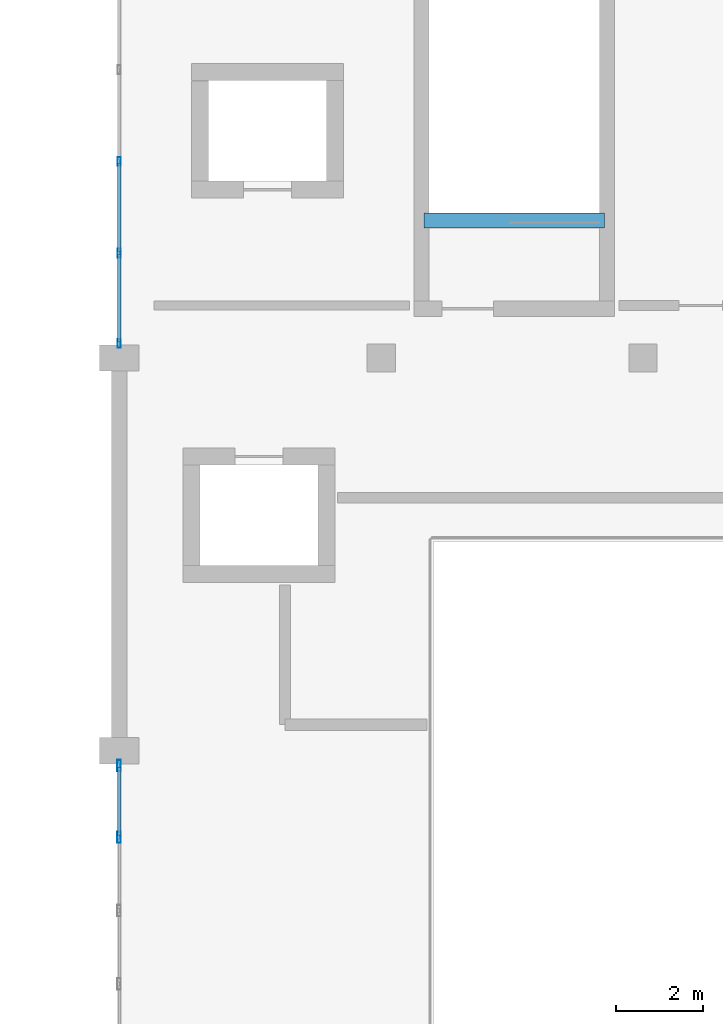
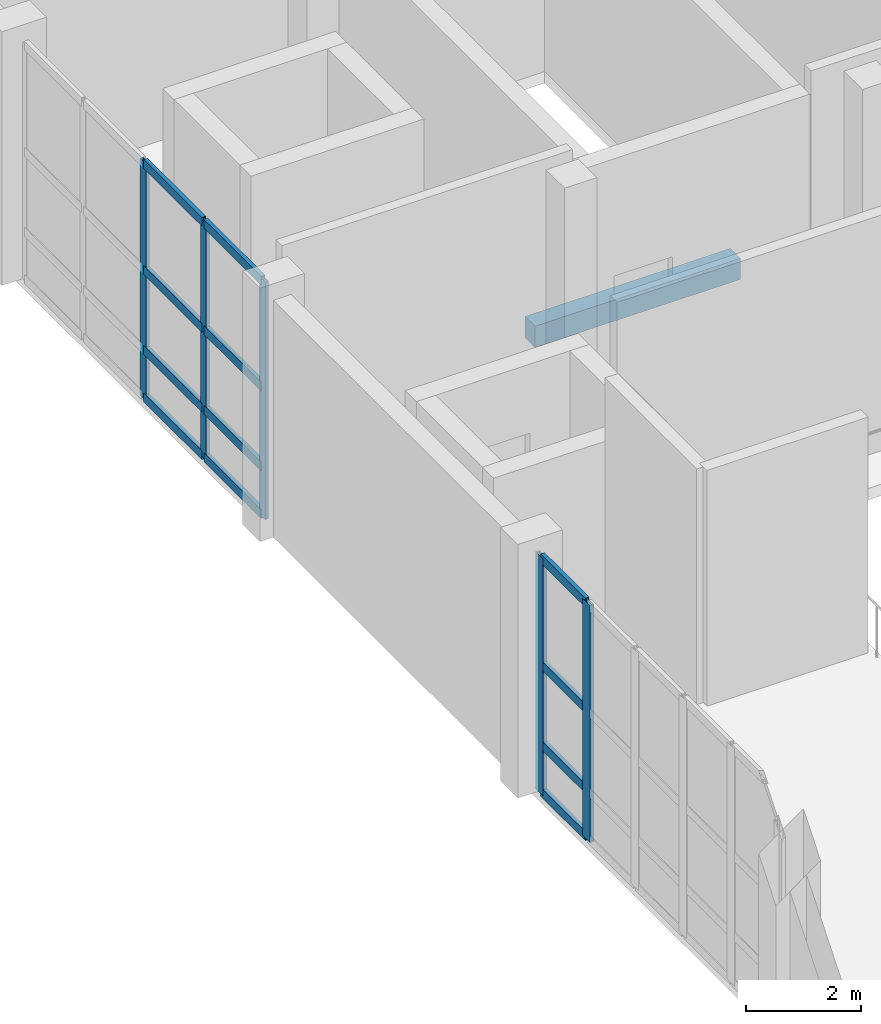
# One storey, part 6 of 41: 17 members, 1 beam, 2 elements without a shape of their own.
"""IFC4 building model written with IfcOpenShell, lengths in metres."""

import ifcopenshell
import ifcopenshell.guid

model = None  # the IFC model being written
_history = None  # IfcOwnerHistory: only IFC2X3 demands one
_inside = {}  # id of a spatial element -> (the spatial element, [elements in it])
_under = {}  # id of a project, library or spatial element -> (it, [spatial elements below it])
_declared = {}  # id of a project -> (the project, [libraries it declares])
_typed = {}  # id of a type object -> (the type object, [elements of that type])
_made_of = {}  # id of a material, layer set ... -> (it, [elements and type objects made of it])


def new_model(schema):
    """Start an empty IFC model of exactly this schema.

    Asked for "IFC4X3", IfcOpenShell would pick the latest addendum, in which some entities
    have other attributes; the version numbers below select the first issue.
    IFC2X3 requires an IfcOwnerHistory on every rooted entity: one is made here for all.
    """
    global model, _history
    if schema == "IFC4X3":
        model = ifcopenshell.file(schema_version=(4, 3, 0, 0))
    else:
        model = ifcopenshell.file(schema=schema)
    _inside.clear()
    _under.clear()
    _declared.clear()
    _typed.clear()
    _made_of.clear()
    _history = None
    if model.schema == "IFC2X3":
        org = make("IfcOrganization", Name="unknown")
        user = make(
            "IfcPersonAndOrganization",
            ThePerson=make("IfcPerson", FamilyName="unknown"),
            TheOrganization=org,
        )
        app = make(
            "IfcApplication",
            ApplicationDeveloper=org,
            Version="unknown",
            ApplicationFullName="unknown",
            ApplicationIdentifier="unknown",
        )
        _history = make(
            "IfcOwnerHistory",
            OwningUser=user,
            OwningApplication=app,
            ChangeAction="ADDED",
            CreationDate=0,
        )
    return model


def make(cls, **values):
    """One entity of the class cls with the attributes given. An attribute that is None is left unset."""
    return model.create_entity(
        cls, **{name: value for name, value in values.items() if value is not None}
    )


def rooted(cls, **values):
    """An entity with a GlobalId (a new one), such as an element, a storey or a relation."""
    return make(cls, GlobalId=ifcopenshell.guid.new(), OwnerHistory=_history, **values)


def si_unit(unit_type, name, prefix=None):
    """IfcSIUnit, for example si_unit("LENGTHUNIT", "METRE", prefix="MILLI")."""
    return make("IfcSIUnit", UnitType=unit_type, Prefix=prefix, Name=name)


def assignment(units):
    """IfcUnitAssignment: the units of a project."""
    return None if units is None else make("IfcUnitAssignment", Units=units)


def point(xyz):
    """IfcCartesianPoint."""
    return None if xyz is None else make("IfcCartesianPoint", Coordinates=xyz)


def direction(xyz):
    """IfcDirection."""
    return None if xyz is None else make("IfcDirection", DirectionRatios=xyz)


def frame(location, z_axis=None, x_axis=None):
    """IfcAxis2Placement3D, a coordinate frame: its origin and axes. An axis left out is left unset."""
    return make(
        "IfcAxis2Placement3D",
        Location=point(location),
        Axis=direction(z_axis),
        RefDirection=direction(x_axis),
    )


def frame_2d(location, x_axis=None):
    """IfcAxis2Placement2D, a coordinate frame in the plane: its origin and x axis."""
    return make(
        "IfcAxis2Placement2D", Location=point(location), RefDirection=direction(x_axis)
    )


def origin():
    """The frame at (0, 0, 0) with its axes left unset."""
    return frame((0.0, 0.0, 0.0))


def origin_2d():
    """The frame at (0, 0) in the plane with its x axis left unset."""
    return frame_2d((0.0, 0.0))


def place(relative_to, where):
    """IfcLocalPlacement: puts the frame where relative to a parent placement (None: the world)."""
    return make(
        "IfcLocalPlacement", PlacementRelTo=relative_to, RelativePlacement=where
    )


def context(
    kind, dimensions, precision=None, world=None, true_north=None, identifier=None
):
    """IfcGeometricRepresentationContext, for example the 3D "Model" context."""
    return make(
        "IfcGeometricRepresentationContext",
        ContextIdentifier=identifier,
        ContextType=kind,
        CoordinateSpaceDimension=dimensions,
        Precision=precision,
        WorldCoordinateSystem=world,
        TrueNorth=true_north,
    )


def subcontext(parent, identifier, kind, view, scale=None):
    """IfcGeometricRepresentationSubContext, for example "Body" below "Model"."""
    return make(
        "IfcGeometricRepresentationSubContext",
        ContextIdentifier=identifier,
        ContextType=kind,
        ParentContext=parent,
        TargetScale=scale,
        TargetView=view,
    )


def project(units=None, contexts=None):
    """IfcProject with its units and contexts."""
    return rooted(
        "IfcProject",
        Name="project",
        RepresentationContexts=contexts,
        UnitsInContext=assignment(units),
    )


def spatial(cls, under=None, at=None, **own):
    """A site, building, storey or space (cls), placed at a placement, below another one or the project."""
    s = rooted(cls, ObjectPlacement=at, **own)
    if under is not None:
        _under.setdefault(under.id(), (under, []))[1].append(s)
    return s


def profile(cls, at=None, kind="AREA", **sizes):
    """A parametric profile (cls). Its sizes go by their IFC names, for example OverallWidth=200.0."""
    return make(cls, ProfileType=kind, Position=at, **sizes)


def rectangle(**sizes):
    """IfcRectangleProfileDef."""
    return profile("IfcRectangleProfileDef", **sizes)


def hollow_rectangle(**sizes):
    """IfcRectangleHollowProfileDef."""
    return profile("IfcRectangleHollowProfileDef", **sizes)


def extrude(swept, where, along, depth):
    """IfcExtrudedAreaSolid: the profile swept, set in the frame where, extruded along a direction by depth."""
    return make(
        "IfcExtrudedAreaSolid",
        SweptArea=swept,
        Position=where,
        ExtrudedDirection=direction(along),
        Depth=depth,
    )


def shape(context_of_items, identifier, shape_type, items):
    """IfcShapeRepresentation: the items that make up one representation, for example the "Body"."""
    return make(
        "IfcShapeRepresentation",
        ContextOfItems=context_of_items,
        RepresentationIdentifier=identifier,
        RepresentationType=shape_type,
        Items=items,
    )


def material(Name=None, Category=None):
    """IfcMaterial."""
    return make("IfcMaterial", Name=Name, Category=Category)


def layer(
    of_material, thickness, ventilated=None, Name=None, Category=None, Priority=None
):
    """IfcMaterialLayer: one layer of a wall or slab, of a material (None: an air gap)."""
    return make(
        "IfcMaterialLayer",
        Material=of_material,
        LayerThickness=thickness,
        IsVentilated=ventilated,
        Name=Name,
        Category=Category,
        Priority=Priority,
    )


def layer_set(layers, Name=None):
    """IfcMaterialLayerSet."""
    return make("IfcMaterialLayerSet", MaterialLayers=layers, LayerSetName=Name)


def material_profile(
    of_material, cross_section, Name=None, Category=None, Priority=None
):
    """IfcMaterialProfile: a cross section and its material."""
    return make(
        "IfcMaterialProfile",
        Name=Name,
        Material=of_material,
        Profile=cross_section,
        Priority=Priority,
        Category=Category,
    )


def profile_set(profiles, Name=None, composite=None):
    """IfcMaterialProfileSet."""
    return make(
        "IfcMaterialProfileSet",
        Name=Name,
        MaterialProfiles=profiles,
        CompositeProfile=composite,
    )


def made_of(thing, what):
    """Note that an element or type object is made of a material, layer set ...; save() writes the relation."""
    if what is not None:
        _made_of.setdefault(what.id(), (what, []))[1].append(thing)
    return thing


def type_object(cls, material=None, **own):
    """A type object (cls), such as IfcWallType, which elements share."""
    return made_of(rooted(cls, **own), material)


def element(
    cls,
    number,
    at=None,
    inside=None,
    cuts=None,
    type_object=None,
    material=None,
    context=None,
    identifier="Body",
    shape_type=None,
    held_by="IfcProductDefinitionShape",
    body=None,
    shapes=None,
    **own,
):
    """One element of the class cls, such as IfcWall. Its Tag is "e" and its number.

    at: its placement. inside: the storey or other place that contains it. cuts: it is an
    opening in that element (IfcRelVoidsElement). A single representation is given by context,
    identifier, shape_type and body (its items); several are given by shapes. held_by: the class
    of the entity that holds the representations. save() writes the other relations.
    """
    e = rooted(cls, Tag="e%d" % number, ObjectPlacement=at, **own)
    if body is not None:
        shapes = [shape(context, identifier, shape_type, body)]
    if shapes is not None:
        e.Representation = make(held_by, Representations=shapes)
    if inside is not None:
        _inside.setdefault(inside.id(), (inside, []))[1].append(e)
    if cuts is not None:
        rooted(
            "IfcRelVoidsElement", RelatingBuildingElement=cuts, RelatedOpeningElement=e
        )
    if type_object is not None:
        _typed.setdefault(type_object.id(), (type_object, []))[1].append(e)
    return made_of(e, material)


def aggregate(whole, parts):
    """IfcRelAggregates: a whole, such as a stair, and the parts it consists of."""
    return rooted("IfcRelAggregates", RelatingObject=whole, RelatedObjects=parts)


def save(model, path):
    """Write the relations noted so far, then the file.

    IfcRelAggregates (storeys below a building ...), IfcRelContainedInSpatialStructure (elements
    in a storey), IfcRelDefinesByType, IfcRelAssociatesMaterial and IfcRelDeclares: one each for
    every whole, place, type object, material and project.
    """
    for whole, parts in _under.values():
        aggregate(whole, parts)
    for where, things in _inside.values():
        rooted(
            "IfcRelContainedInSpatialStructure",
            RelatedElements=things,
            RelatingStructure=where,
        )
    for kind, things in _typed.values():
        rooted("IfcRelDefinesByType", RelatedObjects=things, RelatingType=kind)
    for what, things in _made_of.values():
        rooted("IfcRelAssociatesMaterial", RelatedObjects=things, RelatingMaterial=what)
    for by, libraries in _declared.values():
        rooted("IfcRelDeclares", RelatingContext=by, RelatedDefinitions=libraries)
    model.write(path)


model = new_model("IFC4")

# Units and contexts
model_context = context("Model", 3, precision=1e-05, world=origin(), true_north=direction((0.0, 1.0)))
body_context = subcontext(model_context, "Body", "Model", "MODEL_VIEW")
ifc_project = project(units=[si_unit("LENGTHUNIT", "METRE"), si_unit("AREAUNIT", "SQUARE_METRE"), si_unit("VOLUMEUNIT", "CUBIC_METRE"), si_unit("PLANEANGLEUNIT", "RADIAN"), si_unit("MASSUNIT", "GRAM", prefix="KILO")], contexts=[model_context])

# Site, building, storey
site_placement = place(None, origin())
site = spatial("IfcSite", under=ifc_project, at=site_placement, CompositionType="ELEMENT")
building_placement = place(site_placement, origin())
building = spatial("IfcBuilding", under=site, at=building_placement, Name="Vaelkrest Opera House", CompositionType="ELEMENT")
storey_placement = place(building_placement, frame((0.0, 0.0, 24.60009765625)))
storey = spatial("IfcBuildingStorey", under=building, at=storey_placement, Name="L05", CompositionType="ELEMENT", Elevation=24.60009765625)

# Curtain wall, members
ifc_material_1 = material(Name="Dark bronze anodized aluminium", Category="aluminium")
ifc_layer_1 = layer(ifc_material_1, 0.22998046875)
ifc_layer_set_1 = layer_set([ifc_layer_1], Name="Dark bronze anodized aluminium")
curtain_wall_type_1 = type_object("IfcCurtainWallType", Name="CW06", PredefinedType="NOTDEFINED", material=ifc_layer_set_1)
curtain_wall_1_placement = place(storey_placement, origin())
curtain_wall_1 = element("IfcCurtainWall", 1, at=curtain_wall_1_placement, inside=storey, type_object=curtain_wall_type_1, Name="Curtain wall CW-L05-074", PredefinedType="NOTDEFINED")
ifc_material_profile_1 = material_profile(ifc_material_1, hollow_rectangle(XDim=0.070068359375, YDim=0.199951171875, WallThickness=0.004150390625, at=origin_2d()), Name="CWM70X200")
ifc_profile_set_1 = profile_set([ifc_material_profile_1], Name="Dark bronze anodized aluminium")
member_type_1 = type_object("IfcMemberType", Name="CWM02", PredefinedType="MULLION", material=ifc_profile_set_1)
member_1_placement = place(storey_placement, frame((-30.0, -28.467041015625, 0.0), z_axis=(0.0, 0.0, 1.0), x_axis=(-1.0, 0.0, 0.0)))
member_1 = element("IfcMember", 2, at=member_1_placement, type_object=member_type_1, Name="CW06 mullion 1", PredefinedType="MULLION", context=body_context, shape_type="SweptSolid", body=[
    extrude(hollow_rectangle(XDim=0.070068359375, YDim=0.199951171875, WallThickness=0.004150390625, at=origin_2d()), origin(), (0.0, 0.0, 1.0), 5.0498046875),
])
member_2_placement = place(storey_placement, frame((-30.0, -26.40087890625, 0.0), z_axis=(0.0, 0.0, 1.0), x_axis=(-1.0, 0.0, 0.0)))
member_2 = element("IfcMember", 3, at=member_2_placement, type_object=member_type_1, Name="CW06 mullion 2", PredefinedType="MULLION", context=body_context, shape_type="SweptSolid", body=[
    extrude(hollow_rectangle(XDim=0.070068359375, YDim=0.199951171875, WallThickness=0.004150390625, at=origin_2d()), origin(), (0.0, 0.0, 1.0), 5.0498046875),
])
member_3_placement = place(storey_placement, frame((-30.0, -24.300048828125, 0.0), z_axis=(0.0, 0.0, 1.0), x_axis=(-1.0, 0.0, 0.0)))
member_3 = element("IfcMember", 4, at=member_3_placement, type_object=member_type_1, Name="CW06 mullion 3", PredefinedType="MULLION", context=body_context, shape_type="SweptSolid", body=[
    extrude(hollow_rectangle(XDim=0.070068359375, YDim=0.199951171875, WallThickness=0.004150390625, at=origin_2d()), origin(), (0.0, 0.0, 1.0), 5.0498046875),
])

ifc_layer_2 = layer(ifc_material_1, 0.2099609375)
ifc_layer_set_2 = layer_set([ifc_layer_2], Name="Dark bronze anodized aluminium")
curtain_wall_type_2 = type_object("IfcCurtainWallType", Name="CW04", PredefinedType="NOTDEFINED", material=ifc_layer_set_2)
curtain_wall_2_placement = place(storey_placement, origin())
curtain_wall_2 = element("IfcCurtainWall", 5, at=curtain_wall_2_placement, inside=storey, type_object=curtain_wall_type_2, Name="Curtain wall CW-L05-073", PredefinedType="NOTDEFINED")
ifc_material_profile_2 = material_profile(ifc_material_1, hollow_rectangle(XDim=0.080078125, YDim=0.260009765625, WallThickness=0.0048828125, at=origin_2d()), Name="CWM80X260")
ifc_profile_set_2 = profile_set([ifc_material_profile_2], Name="Dark bronze anodized aluminium")
member_type_2 = type_object("IfcMemberType", Name="CWM04", PredefinedType="MULLION", material=ifc_profile_set_2)
member_4_placement = place(storey_placement, frame((-30.0, -39.77880859375, 0.0), z_axis=(0.0, 0.0, 1.0), x_axis=(-1.0, 0.0, 0.0)))
member_4 = element("IfcMember", 6, at=member_4_placement, type_object=member_type_2, Name="CW04 mullion 5", PredefinedType="MULLION", context=body_context, shape_type="SweptSolid", body=[
    extrude(hollow_rectangle(XDim=0.080078125, YDim=0.260009765625, WallThickness=0.0048828125, at=origin_2d()), origin(), (0.0, 0.0, 1.0), 5.0498046875),
])
member_5_placement = place(storey_placement, frame((-30.0, -38.137939453125, 0.0), z_axis=(0.0, 0.0, 1.0), x_axis=(-1.0, 0.0, 0.0)))
member_5 = element("IfcMember", 7, at=member_5_placement, type_object=member_type_2, Name="CW04 mullion 6", PredefinedType="MULLION", context=body_context, shape_type="SweptSolid", body=[
    extrude(hollow_rectangle(XDim=0.080078125, YDim=0.260009765625, WallThickness=0.0048828125, at=origin_2d()), origin(), (0.0, 0.0, 1.0), 5.0498046875),
])
ifc_material_profile_3 = material_profile(ifc_material_1, hollow_rectangle(XDim=0.080078125, YDim=0.18994140625, WallThickness=0.0048828125, at=origin_2d()), Name="CWT80X190")
ifc_profile_set_3 = profile_set([ifc_material_profile_3], Name="Dark bronze anodized aluminium")
member_type_3 = type_object("IfcMemberType", Name="CWT04", PredefinedType="USERDEFINED", material=ifc_profile_set_3)
member_6_placement = place(storey_placement, frame((-30.0, -39.73876953125, 0.039794921875), z_axis=(0.0, 1.0, 0.0), x_axis=(-1.0, 0.0, 0.0)))
member_6 = element("IfcMember", 8, at=member_6_placement, type_object=member_type_3, Name="CW04 transom 5.1", ObjectType="TRANSOM", PredefinedType="USERDEFINED", context=body_context, shape_type="SweptSolid", body=[
    extrude(hollow_rectangle(XDim=0.080078125, YDim=0.18994140625, WallThickness=0.0048828125, at=origin_2d()), origin(), (0.0, 0.0, 1.0), 1.560791015625),
])
member_7_placement = place(storey_placement, frame((-30.0, -39.73876953125, 1.0498046875), z_axis=(0.0, 1.0, 0.0), x_axis=(-1.0, 0.0, 0.0)))
member_7 = element("IfcMember", 9, at=member_7_placement, type_object=member_type_3, Name="CW04 transom 5.2", ObjectType="TRANSOM", PredefinedType="USERDEFINED", context=body_context, shape_type="SweptSolid", body=[
    extrude(hollow_rectangle(XDim=0.080078125, YDim=0.18994140625, WallThickness=0.0048828125, at=origin_2d()), origin(), (0.0, 0.0, 1.0), 1.560791015625),
])
member_8_placement = place(storey_placement, frame((-30.0, -39.73876953125, 2.75), z_axis=(0.0, 1.0, 0.0), x_axis=(-1.0, 0.0, 0.0)))
member_8 = element("IfcMember", 10, at=member_8_placement, type_object=member_type_3, Name="CW04 transom 5.3", ObjectType="TRANSOM", PredefinedType="USERDEFINED", context=body_context, shape_type="SweptSolid", body=[
    extrude(hollow_rectangle(XDim=0.080078125, YDim=0.18994140625, WallThickness=0.0048828125, at=origin_2d()), origin(), (0.0, 0.0, 1.0), 1.560791015625),
])
member_9_placement = place(storey_placement, frame((-30.0, -39.73876953125, 5.010009765625), z_axis=(0.0, 1.0, 0.0), x_axis=(-1.0, 0.0, 0.0)))
member_9 = element("IfcMember", 11, at=member_9_placement, type_object=member_type_3, Name="CW04 transom 5.4", ObjectType="TRANSOM", PredefinedType="USERDEFINED", context=body_context, shape_type="SweptSolid", body=[
    extrude(hollow_rectangle(XDim=0.080078125, YDim=0.18994140625, WallThickness=0.0048828125, at=origin_2d()), origin(), (0.0, 0.0, 1.0), 1.560791015625),
])
aggregate(curtain_wall_2, [member_4, member_5, member_6, member_7, member_8, member_9])

# Member
member_10_placement = place(storey_placement, frame((-30.0, -28.431884765625, 0.039794921875), z_axis=(0.0, 1.0, 0.0), x_axis=(-1.0, 0.0, 0.0)))
member_10 = element("IfcMember", 12, at=member_10_placement, type_object=member_type_3, Name="CW06 transom 1.1", ObjectType="TRANSOM", PredefinedType="USERDEFINED", context=body_context, shape_type="SweptSolid", body=[
    extrude(hollow_rectangle(XDim=0.080078125, YDim=0.18994140625, WallThickness=0.0048828125, at=origin_2d()), origin(), (0.0, 0.0, 1.0), 1.995849609375),
])

member_11_placement = place(storey_placement, frame((-30.0, -28.431884765625, 1.0498046875), z_axis=(0.0, 1.0, 0.0), x_axis=(-1.0, 0.0, 0.0)))
member_11 = element("IfcMember", 13, at=member_11_placement, type_object=member_type_3, Name="CW06 transom 1.2", ObjectType="TRANSOM", PredefinedType="USERDEFINED", context=body_context, shape_type="SweptSolid", body=[
    extrude(hollow_rectangle(XDim=0.080078125, YDim=0.18994140625, WallThickness=0.0048828125, at=origin_2d()), origin(), (0.0, 0.0, 1.0), 1.995849609375),
])

member_12_placement = place(storey_placement, frame((-30.0, -28.431884765625, 2.75), z_axis=(0.0, 1.0, 0.0), x_axis=(-1.0, 0.0, 0.0)))
member_12 = element("IfcMember", 14, at=member_12_placement, type_object=member_type_3, Name="CW06 transom 1.3", ObjectType="TRANSOM", PredefinedType="USERDEFINED", context=body_context, shape_type="SweptSolid", body=[
    extrude(hollow_rectangle(XDim=0.080078125, YDim=0.18994140625, WallThickness=0.0048828125, at=origin_2d()), origin(), (0.0, 0.0, 1.0), 1.995849609375),
])

member_13_placement = place(storey_placement, frame((-30.0, -28.431884765625, 5.010009765625), z_axis=(0.0, 1.0, 0.0), x_axis=(-1.0, 0.0, 0.0)))
member_13 = element("IfcMember", 15, at=member_13_placement, type_object=member_type_3, Name="CW06 transom 1.4", ObjectType="TRANSOM", PredefinedType="USERDEFINED", context=body_context, shape_type="SweptSolid", body=[
    extrude(hollow_rectangle(XDim=0.080078125, YDim=0.18994140625, WallThickness=0.0048828125, at=origin_2d()), origin(), (0.0, 0.0, 1.0), 1.995849609375),
])

member_14_placement = place(storey_placement, frame((-30.0, -26.365966796875, 0.039794921875), z_axis=(0.0, 1.0, 0.0), x_axis=(-1.0, 0.0, 0.0)))
member_14 = element("IfcMember", 16, at=member_14_placement, type_object=member_type_3, Name="CW06 transom 2.1", ObjectType="TRANSOM", PredefinedType="USERDEFINED", context=body_context, shape_type="SweptSolid", body=[
    extrude(hollow_rectangle(XDim=0.080078125, YDim=0.18994140625, WallThickness=0.0048828125, at=origin_2d()), origin(), (0.0, 0.0, 1.0), 2.031005859375),
])

member_15_placement = place(storey_placement, frame((-30.0, -26.365966796875, 1.0498046875), z_axis=(0.0, 1.0, 0.0), x_axis=(-1.0, 0.0, 0.0)))
member_15 = element("IfcMember", 17, at=member_15_placement, type_object=member_type_3, Name="CW06 transom 2.2", ObjectType="TRANSOM", PredefinedType="USERDEFINED", context=body_context, shape_type="SweptSolid", body=[
    extrude(hollow_rectangle(XDim=0.080078125, YDim=0.18994140625, WallThickness=0.0048828125, at=origin_2d()), origin(), (0.0, 0.0, 1.0), 2.031005859375),
])

member_16_placement = place(storey_placement, frame((-30.0, -26.365966796875, 2.75), z_axis=(0.0, 1.0, 0.0), x_axis=(-1.0, 0.0, 0.0)))
member_16 = element("IfcMember", 18, at=member_16_placement, type_object=member_type_3, Name="CW06 transom 2.3", ObjectType="TRANSOM", PredefinedType="USERDEFINED", context=body_context, shape_type="SweptSolid", body=[
    extrude(hollow_rectangle(XDim=0.080078125, YDim=0.18994140625, WallThickness=0.0048828125, at=origin_2d()), origin(), (0.0, 0.0, 1.0), 2.031005859375),
])

member_17_placement = place(storey_placement, frame((-30.0, -26.365966796875, 5.010009765625), z_axis=(0.0, 1.0, 0.0), x_axis=(-1.0, 0.0, 0.0)))
member_17 = element("IfcMember", 19, at=member_17_placement, type_object=member_type_3, Name="CW06 transom 2.4", ObjectType="TRANSOM", PredefinedType="USERDEFINED", context=body_context, shape_type="SweptSolid", body=[
    extrude(hollow_rectangle(XDim=0.080078125, YDim=0.18994140625, WallThickness=0.0048828125, at=origin_2d()), origin(), (0.0, 0.0, 1.0), 2.031005859375),
])

aggregate(curtain_wall_1, [member_1, member_2, member_3, member_10, member_11, member_12, member_13, member_14, member_15, member_16, member_17])

# Beam
ifc_material_2 = material(Name="Concrete C50/60", Category="concrete")
ifc_material_profile_4 = material_profile(ifc_material_2, rectangle(XDim=0.35009765625, YDim=0.449951171875, at=origin_2d()), Name="RCB350X450")
ifc_profile_set_4 = profile_set([ifc_material_profile_4], Name="Concrete C50/60")
beam_type = type_object("IfcBeamType", Name="LN01", PredefinedType="LINTEL", material=ifc_profile_set_4)
beam_placement = place(storey_placement, frame((-23.02001953125, -25.64990234375, -0.22509765625), z_axis=(1.0, 0.0, 0.0), x_axis=(0.0, 1.0, 0.0)))
element("IfcBeam", 20, at=beam_placement, inside=storey, type_object=beam_type, Name="Stairwell trimmer beam ST01 L05", PredefinedType="LINTEL", context=body_context, shape_type="SweptSolid", body=[
    extrude(rectangle(XDim=0.35009765625, YDim=0.449951171875, at=origin_2d()), origin(), (0.0, 0.0, 1.0), 4.14013671875),
])

save(model, "model.ifc")
